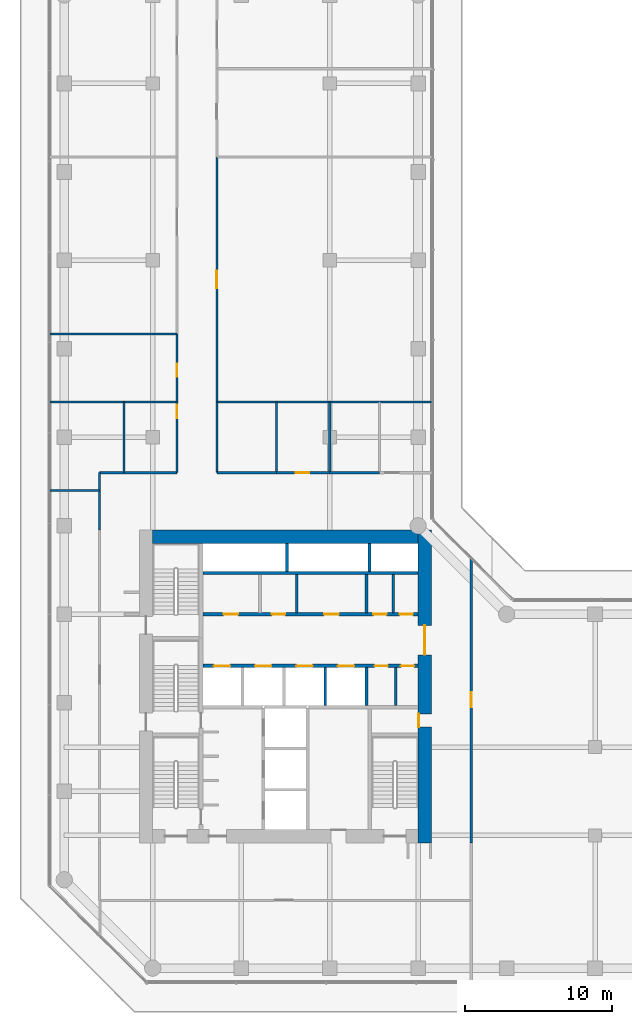
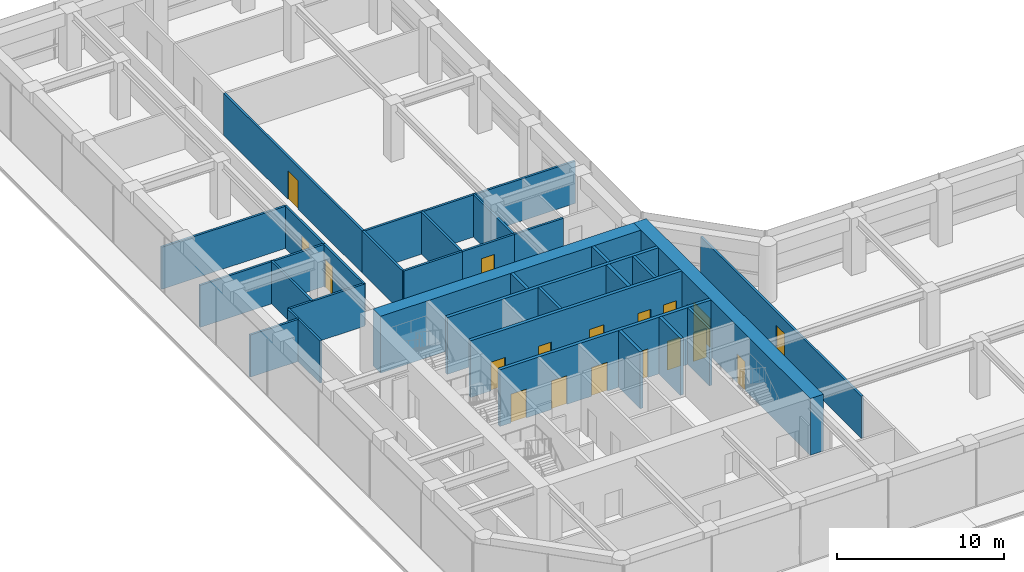
# One storey, part 22 of 24: 30 walls, 18 doors, 18 openings.
"""IFC4 building model written with IfcOpenShell, lengths in metres."""

from ifc_helpers import new_model, si_unit, direction, frame, frame_2d, origin, place, context, subcontext, project, spatial, rectangle, extrude, material, layer, layer_set, type_object, element, fill, save


model = new_model("IFC4")

# Units and contexts
model_context = context("Model", 3, precision=1e-05, world=origin(), true_north=direction((0.0, 1.0)))
body_context = subcontext(model_context, "Body", "Model", "MODEL_VIEW")
ifc_project = project(units=[si_unit("LENGTHUNIT", "METRE"), si_unit("AREAUNIT", "SQUARE_METRE"), si_unit("VOLUMEUNIT", "CUBIC_METRE"), si_unit("PLANEANGLEUNIT", "RADIAN"), si_unit("MASSUNIT", "GRAM", prefix="KILO")], contexts=[model_context])

# Site, building, storey
site_placement = place(None, origin())
site = spatial("IfcSite", under=ifc_project, at=site_placement, CompositionType="ELEMENT")
building_placement = place(site_placement, origin())
building = spatial("IfcBuilding", under=site, at=building_placement, Name="Welwitschia Terrace Campus", CompositionType="ELEMENT")
storey_placement = place(building_placement, frame((0.0, 0.0, 15.5)))
storey = spatial("IfcBuildingStorey", under=building, at=storey_placement, Name="L03", CompositionType="ELEMENT", Elevation=15.5)

# Walls
ifc_material_1 = material(Name="Concrete C32/40", Category="concrete")
ifc_layer_1 = layer(ifc_material_1, 0.175048828125)
ifc_layer_set_1 = layer_set([ifc_layer_1], Name="Concrete C32/40")
wall_type_1 = type_object("IfcWallType", Name="Core partition 175 Concrete C32/40", PredefinedType="PARTITIONING", material=ifc_layer_set_1)
for number, where, z_axis, x_axis, name in (
    (1, (15.77490234375, 20.10009765625, 0.0), (0.0, 0.0, 1.0), (0.0, 1.0, 0.0), "Core partition"),
    (2, (22.300048828125, 20.10009765625, 0.0), (0.0, 0.0, 1.0), (0.0, 1.0, 0.0), "Core partition"),
    (3, (22.469970703125, 13.800048828125, 0.0), (0.0, 0.0, 1.0), (0.0, 1.0, 0.0), "Core partition"),
):
    element("IfcWall", number, at=place(storey_placement, frame(where, z_axis=z_axis, x_axis=x_axis)), inside=storey, type_object=wall_type_1, Name=name, PredefinedType="PARTITIONING", context=body_context, shape_type="SweptSolid", body=[
        extrude(rectangle(XDim=2.599853515625, YDim=0.175048828125, at=frame_2d((1.2998046875, 0.0))), origin(), (0.0, 0.0, 1.0), 4.14990234375),
    ])

# Wall, openings, doors
ifc_material_2 = material(Name="Concrete C32/40", Category="concrete")
ifc_layer_2 = layer(ifc_material_2, 0.22509765625)
ifc_layer_set_2 = layer_set([ifc_layer_2], Name="Concrete C32/40")
wall_type_2 = type_object("IfcWallType", Name="Core partition 225 Concrete C32/40", PredefinedType="PARTITIONING", material=ifc_layer_set_2)
wall_1_placement = place(storey_placement, frame((9.39990234375, 16.5, 0.0), z_axis=(0.0, 0.0, 1.0), x_axis=(1.0, 0.0, 0.0)))
wall_1 = element("IfcWall", 4, at=wall_1_placement, inside=storey, type_object=wall_type_2, Name="Shaft wall", PredefinedType="PARTITIONING", context=body_context, shape_type="SweptSolid", body=[
    extrude(rectangle(XDim=14.60009765625, YDim=0.22509765625, at=frame_2d((7.300048828125, 0.0))), origin(), (0.0, 0.0, 1.0), 4.14990234375),
])
opening_1_placement = place(wall_1_placement, frame((0.75, 0.0, 0.0)))
opening_1 = element("IfcOpeningElement", 5, at=opening_1_placement, cuts=wall_1, Name="Opening LD", PredefinedType="OPENING", context=body_context, shape_type="SweptSolid", body=[
    extrude(rectangle(XDim=1.10009765625, YDim=2.10009765625, at=frame_2d((0.550048828125, 1.050048828125))), frame((0.0, 0.12255859375, 0.0), z_axis=(0.0, -1.0, 0.0), x_axis=(1.0, 0.0, 0.0)), (0.0, 0.0, 1.0), 0.2451171875),
])
opening_2_placement = place(wall_1_placement, frame((3.550048828125, 0.0, 0.0)))
opening_2 = element("IfcOpeningElement", 6, at=opening_2_placement, cuts=wall_1, Name="Opening LD", PredefinedType="OPENING", context=body_context, shape_type="SweptSolid", body=[
    extrude(rectangle(XDim=1.10009765625, YDim=2.10009765625, at=frame_2d((0.550048828125, 1.050048828125))), frame((0.0, 0.12255859375, 0.0), z_axis=(0.0, -1.0, 0.0), x_axis=(1.0, 0.0, 0.0)), (0.0, 0.0, 1.0), 0.2451171875),
])
opening_3_placement = place(wall_1_placement, frame((6.35009765625, 0.0, 0.0)))
opening_3 = element("IfcOpeningElement", 7, at=opening_3_placement, cuts=wall_1, Name="Opening LD", PredefinedType="OPENING", context=body_context, shape_type="SweptSolid", body=[
    extrude(rectangle(XDim=1.10009765625, YDim=2.10009765625, at=frame_2d((0.550048828125, 1.050048828125))), frame((0.0, 0.12255859375, 0.0), z_axis=(0.0, -1.0, 0.0), x_axis=(1.0, 0.0, 0.0)), (0.0, 0.0, 1.0), 0.2451171875),
])
opening_4_placement = place(wall_1_placement, frame((9.14990234375, 0.0, 0.0)))
opening_4 = element("IfcOpeningElement", 8, at=opening_4_placement, cuts=wall_1, Name="Opening LD", PredefinedType="OPENING", context=body_context, shape_type="SweptSolid", body=[
    extrude(rectangle(XDim=1.10009765625, YDim=2.10009765625, at=frame_2d((0.550048828125, 1.050048828125))), frame((0.0, 0.12255859375, 0.0), z_axis=(0.0, -1.0, 0.0), x_axis=(1.0, 0.0, 0.0)), (0.0, 0.0, 1.0), 0.2451171875),
])
opening_5_placement = place(wall_1_placement, frame((11.6474609375, 0.0, 0.0)))
opening_5 = element("IfcOpeningElement", 9, at=opening_5_placement, cuts=wall_1, Name="Opening DR09", PredefinedType="OPENING", context=body_context, shape_type="SweptSolid", body=[
    extrude(rectangle(XDim=0.89990234375, YDim=2.10009765625, at=frame_2d((0.449951171875, 1.050048828125))), frame((0.0, 0.12255859375, 0.0), z_axis=(0.0, -1.0, 0.0), x_axis=(1.0, 0.0, 0.0)), (0.0, 0.0, 1.0), 0.2451171875),
])
opening_6_placement = place(wall_1_placement, frame((13.422607421875, 0.0, 0.0)))
opening_6 = element("IfcOpeningElement", 10, at=opening_6_placement, cuts=wall_1, Name="Opening DR09", PredefinedType="OPENING", context=body_context, shape_type="SweptSolid", body=[
    extrude(rectangle(XDim=0.89990234375, YDim=2.10009765625, at=frame_2d((0.449951171875, 1.050048828125))), frame((0.0, 0.12255859375, 0.0), z_axis=(0.0, -1.0, 0.0), x_axis=(1.0, 0.0, 0.0)), (0.0, 0.0, 1.0), 0.2451171875),
])
ifc_material_3 = material(Name="Steel S275", Category="steel")
door_type_1 = type_object("IfcDoorType", Name="Core door DR09", OperationType="SINGLE_SWING_LEFT", PredefinedType="DOOR", material=ifc_material_3)
door_1_placement = place(opening_5_placement, origin())
door_1 = element("IfcDoor", 11, at=door_1_placement, inside=storey, type_object=door_type_1, Name="Door EL1-D", OperationType="SINGLE_SWING_RIGHT", OverallHeight=2.10009765625, OverallWidth=0.89990234375, PredefinedType="DOOR", context=body_context, shape_type="SweptSolid", body=[
    extrude(rectangle(XDim=0.89990234375, YDim=2.10009765625, at=frame_2d((0.449951171875, 1.050048828125))), frame((0.0, 0.02490234375, 0.0), z_axis=(0.0, -1.0, 0.0), x_axis=(1.0, 0.0, 0.0)), (0.0, 0.0, 1.0), 0.050048828125),
])
fill(opening_5, door_1)
door_2_placement = place(opening_6_placement, origin())
door_2 = element("IfcDoor", 12, at=door_2_placement, inside=storey, type_object=door_type_1, Name="Door EL2-D", OperationType="SINGLE_SWING_RIGHT", OverallHeight=2.10009765625, OverallWidth=0.89990234375, PredefinedType="DOOR", context=body_context, shape_type="SweptSolid", body=[
    extrude(rectangle(XDim=0.89990234375, YDim=2.10009765625, at=frame_2d((0.449951171875, 1.050048828125))), frame((0.0, 0.02490234375, 0.0), z_axis=(0.0, -1.0, 0.0), x_axis=(1.0, 0.0, 0.0)), (0.0, 0.0, 1.0), 0.050048828125),
])
fill(opening_6, door_2)
ifc_material_4 = material(Name="Stainless steel 304", Category="steel")
door_type_2 = type_object("IfcDoorType", Name="Lift landing door", OperationType="DOUBLE_DOOR_SLIDING", PredefinedType="DOOR", material=ifc_material_4)
door_3_placement = place(opening_1_placement, origin())
door_3 = element("IfcDoor", 13, at=door_3_placement, inside=storey, type_object=door_type_2, Name="Landing door LR1", OperationType="DOUBLE_DOOR_SLIDING", OverallHeight=2.10009765625, OverallWidth=1.10009765625, PredefinedType="DOOR", context=body_context, shape_type="SweptSolid", body=[
    extrude(rectangle(XDim=1.10009765625, YDim=2.10009765625, at=frame_2d((0.550048828125, 1.050048828125))), frame((0.0, 0.02490234375, 0.0), z_axis=(0.0, -1.0, 0.0), x_axis=(1.0, 0.0, 0.0)), (0.0, 0.0, 1.0), 0.050048828125),
])
fill(opening_1, door_3)
door_4_placement = place(opening_2_placement, origin())
door_4 = element("IfcDoor", 14, at=door_4_placement, inside=storey, type_object=door_type_2, Name="Landing door LR2", OperationType="DOUBLE_DOOR_SLIDING", OverallHeight=2.10009765625, OverallWidth=1.10009765625, PredefinedType="DOOR", context=body_context, shape_type="SweptSolid", body=[
    extrude(rectangle(XDim=1.10009765625, YDim=2.10009765625, at=frame_2d((0.550048828125, 1.050048828125))), frame((0.0, 0.02490234375, 0.0), z_axis=(0.0, -1.0, 0.0), x_axis=(1.0, 0.0, 0.0)), (0.0, 0.0, 1.0), 0.050048828125),
])
fill(opening_2, door_4)
door_5_placement = place(opening_3_placement, origin())
door_5 = element("IfcDoor", 15, at=door_5_placement, inside=storey, type_object=door_type_2, Name="Landing door LR3", OperationType="DOUBLE_DOOR_SLIDING", OverallHeight=2.10009765625, OverallWidth=1.10009765625, PredefinedType="DOOR", context=body_context, shape_type="SweptSolid", body=[
    extrude(rectangle(XDim=1.10009765625, YDim=2.10009765625, at=frame_2d((0.550048828125, 1.050048828125))), frame((0.0, 0.02490234375, 0.0), z_axis=(0.0, -1.0, 0.0), x_axis=(1.0, 0.0, 0.0)), (0.0, 0.0, 1.0), 0.050048828125),
])
fill(opening_3, door_5)
door_6_placement = place(opening_4_placement, origin())
door_6 = element("IfcDoor", 16, at=door_6_placement, inside=storey, type_object=door_type_2, Name="Landing door LR4", OperationType="DOUBLE_DOOR_SLIDING", OverallHeight=2.10009765625, OverallWidth=1.10009765625, PredefinedType="DOOR", context=body_context, shape_type="SweptSolid", body=[
    extrude(rectangle(XDim=1.10009765625, YDim=2.10009765625, at=frame_2d((0.550048828125, 1.050048828125))), frame((0.0, 0.02490234375, 0.0), z_axis=(0.0, -1.0, 0.0), x_axis=(1.0, 0.0, 0.0)), (0.0, 0.0, 1.0), 0.050048828125),
])
fill(opening_4, door_6)

wall_2_placement = place(storey_placement, frame((24.0, 20.0, 0.0), z_axis=(0.0, 0.0, 1.0), x_axis=(-1.0, 0.0, 0.0)))
wall_2 = element("IfcWall", 17, at=wall_2_placement, inside=storey, type_object=wall_type_2, Name="Core partition", PredefinedType="PARTITIONING", context=body_context, shape_type="SweptSolid", body=[
    extrude(rectangle(XDim=14.60009765625, YDim=0.22509765625, at=frame_2d((7.300048828125, 0.0))), origin(), (0.0, 0.0, 1.0), 4.14990234375),
])
opening_7_placement = place(wall_2_placement, frame((12.199951171875, 0.0, 0.0)))
opening_7 = element("IfcOpeningElement", 18, at=opening_7_placement, cuts=wall_2, Name="Opening DR10", PredefinedType="OPENING", context=body_context, shape_type="SweptSolid", body=[
    extrude(rectangle(XDim=1.0, YDim=2.10009765625, at=frame_2d((0.5, 1.050048828125))), frame((0.0, 0.12255859375, 0.0), z_axis=(0.0, -1.0, 0.0), x_axis=(1.0, 0.0, 0.0)), (0.0, 0.0, 1.0), 0.2451171875),
])
opening_8_placement = place(wall_2_placement, frame((9.02490234375, 0.0, 0.0)))
opening_8 = element("IfcOpeningElement", 19, at=opening_8_placement, cuts=wall_2, Name="Opening DR09", PredefinedType="OPENING", context=body_context, shape_type="SweptSolid", body=[
    extrude(rectangle(XDim=0.89990234375, YDim=2.10009765625, at=frame_2d((0.449951171875, 1.050048828125))), frame((0.0, 0.12255859375, 0.0), z_axis=(0.0, -1.0, 0.0), x_axis=(1.0, 0.0, 0.0)), (0.0, 0.0, 1.0), 0.2451171875),
])
opening_9_placement = place(wall_2_placement, frame((5.375, 0.0, 0.0)))
opening_9 = element("IfcOpeningElement", 20, at=opening_9_placement, cuts=wall_2, Name="Opening DR10", PredefinedType="OPENING", context=body_context, shape_type="SweptSolid", body=[
    extrude(rectangle(XDim=1.0, YDim=2.10009765625, at=frame_2d((0.5, 1.050048828125))), frame((0.0, 0.12255859375, 0.0), z_axis=(0.0, -1.0, 0.0), x_axis=(1.0, 0.0, 0.0)), (0.0, 0.0, 1.0), 0.2451171875),
])
opening_10_placement = place(wall_2_placement, frame((2.137451171875, 0.0, 0.0)))
opening_10 = element("IfcOpeningElement", 21, at=opening_10_placement, cuts=wall_2, Name="Opening DR09", PredefinedType="OPENING", context=body_context, shape_type="SweptSolid", body=[
    extrude(rectangle(XDim=0.89990234375, YDim=2.10009765625, at=frame_2d((0.449951171875, 1.050048828125))), frame((0.0, 0.12255859375, 0.0), z_axis=(0.0, -1.0, 0.0), x_axis=(1.0, 0.0, 0.0)), (0.0, 0.0, 1.0), 0.2451171875),
])
opening_11_placement = place(wall_2_placement, frame((0.362548828125, 0.0, 0.0)))
opening_11 = element("IfcOpeningElement", 22, at=opening_11_placement, cuts=wall_2, Name="Opening DR09", PredefinedType="OPENING", context=body_context, shape_type="SweptSolid", body=[
    extrude(rectangle(XDim=0.89990234375, YDim=2.10009765625, at=frame_2d((0.449951171875, 1.050048828125))), frame((0.0, 0.12255859375, 0.0), z_axis=(0.0, -1.0, 0.0), x_axis=(1.0, 0.0, 0.0)), (0.0, 0.0, 1.0), 0.2451171875),
])
door_7_placement = place(opening_8_placement, origin())
door_7 = element("IfcDoor", 23, at=door_7_placement, inside=storey, type_object=door_type_1, Name="Door BAYH2-D", OperationType="SINGLE_SWING_RIGHT", OverallHeight=2.10009765625, OverallWidth=0.89990234375, PredefinedType="DOOR", context=body_context, shape_type="SweptSolid", body=[
    extrude(rectangle(XDim=0.89990234375, YDim=2.10009765625, at=frame_2d((0.449951171875, 1.050048828125))), frame((0.0, 0.02490234375, 0.0), z_axis=(0.0, -1.0, 0.0), x_axis=(1.0, 0.0, 0.0)), (0.0, 0.0, 1.0), 0.050048828125),
])
fill(opening_8, door_7)
door_8_placement = place(opening_10_placement, origin())
door_8 = element("IfcDoor", 24, at=door_8_placement, inside=storey, type_object=door_type_1, Name="Door EH1-D", OperationType="SINGLE_SWING_LEFT", OverallHeight=2.10009765625, OverallWidth=0.89990234375, PredefinedType="DOOR", context=body_context, shape_type="SweptSolid", body=[
    extrude(rectangle(XDim=0.89990234375, YDim=2.10009765625, at=frame_2d((0.449951171875, 1.050048828125))), frame((0.0, 0.02490234375, 0.0), z_axis=(0.0, -1.0, 0.0), x_axis=(1.0, 0.0, 0.0)), (0.0, 0.0, 1.0), 0.050048828125),
])
fill(opening_10, door_8)
door_9_placement = place(opening_11_placement, origin())
door_9 = element("IfcDoor", 25, at=door_9_placement, inside=storey, type_object=door_type_1, Name="Door EH2-D", OperationType="SINGLE_SWING_LEFT", OverallHeight=2.10009765625, OverallWidth=0.89990234375, PredefinedType="DOOR", context=body_context, shape_type="SweptSolid", body=[
    extrude(rectangle(XDim=0.89990234375, YDim=2.10009765625, at=frame_2d((0.449951171875, 1.050048828125))), frame((0.0, 0.02490234375, 0.0), z_axis=(0.0, -1.0, 0.0), x_axis=(1.0, 0.0, 0.0)), (0.0, 0.0, 1.0), 0.050048828125),
])
fill(opening_11, door_9)
ifc_material_5 = material(Name="Steel S275", Category="steel")
door_type_3 = type_object("IfcDoorType", Name="Core door DR10", OperationType="SINGLE_SWING_LEFT", PredefinedType="DOOR", material=ifc_material_5)
door_10_placement = place(opening_7_placement, origin())
door_10 = element("IfcDoor", 26, at=door_10_placement, inside=storey, type_object=door_type_3, Name="Door BAYH1-D", OperationType="SINGLE_SWING_RIGHT", OverallHeight=2.10009765625, OverallWidth=1.0, PredefinedType="DOOR", context=body_context, shape_type="SweptSolid", body=[
    extrude(rectangle(XDim=1.0, YDim=2.10009765625, at=frame_2d((0.5, 1.050048828125))), frame((0.0, 0.02490234375, 0.0), z_axis=(0.0, -1.0, 0.0), x_axis=(1.0, 0.0, 0.0)), (0.0, 0.0, 1.0), 0.050048828125),
])
fill(opening_7, door_10)
door_11_placement = place(opening_9_placement, origin())
door_11 = element("IfcDoor", 27, at=door_11_placement, inside=storey, type_object=door_type_3, Name="Door BAYH3-D", OperationType="SINGLE_SWING_LEFT", OverallHeight=2.10009765625, OverallWidth=1.0, PredefinedType="DOOR", context=body_context, shape_type="SweptSolid", body=[
    extrude(rectangle(XDim=1.0, YDim=2.10009765625, at=frame_2d((0.5, 1.050048828125))), frame((0.0, 0.02490234375, 0.0), z_axis=(0.0, -1.0, 0.0), x_axis=(1.0, 0.0, 0.0)), (0.0, 0.0, 1.0), 0.050048828125),
])
fill(opening_9, door_11)

# Walls
wall_3_placement = place(storey_placement, frame((9.39990234375, 22.800048828125, 0.0), z_axis=(0.0, 0.0, 1.0), x_axis=(1.0, 0.0, 0.0)))
element("IfcWall", 28, at=wall_3_placement, inside=storey, type_object=wall_type_2, Name="Shaft wall", PredefinedType="PARTITIONING", context=body_context, shape_type="SweptSolid", body=[
    extrude(rectangle(XDim=14.60009765625, YDim=0.22509765625, at=frame_2d((7.300048828125, 0.0))), origin(), (0.0, 0.0, 1.0), 4.14990234375),
])
for number, where, z_axis, x_axis, name in (
    (29, (20.5, 13.800048828125, 0.0), (0.0, 0.0, 1.0), (0.0, 1.0, 0.0), "Shaft wall"),
    (30, (20.5, 20.10009765625, 0.0), (0.0, 0.0, 1.0), (0.0, 1.0, 0.0), "Core partition"),
):
    element("IfcWall", number, at=place(storey_placement, frame(where, z_axis=z_axis, x_axis=x_axis)), inside=storey, type_object=wall_type_2, Name=name, PredefinedType="PARTITIONING", context=body_context, shape_type="SweptSolid", body=[
        extrude(rectangle(XDim=2.599853515625, YDim=0.22509765625, at=frame_2d((1.2998046875, 0.0))), origin(), (0.0, 0.0, 1.0), 4.14990234375),
    ])
ifc_material_6 = material(Name="Concrete C50/60", Category="concrete")
ifc_layer_3 = layer(ifc_material_6, 0.199951171875)
ifc_layer_set_3 = layer_set([ifc_layer_3], Name="Concrete C50/60")
wall_type_3 = type_object("IfcWallType", Name="Core wall 200 Concrete C50/60", PredefinedType="SHEAR", material=ifc_layer_set_3)
for number, where, z_axis, x_axis, name in (
    (31, (15.10009765625, 22.89990234375, 0.0), (0.0, 0.0, 1.0), (0.0, 1.0, 0.0), "Core wall"),
    (32, (20.699951171875, 22.89990234375, 0.0), (0.0, 0.0, 1.0), (0.0, 1.0, 0.0), "Core wall"),
):
    element("IfcWall", number, at=place(storey_placement, frame(where, z_axis=z_axis, x_axis=x_axis)), inside=storey, type_object=wall_type_3, Name=name, PredefinedType="SHEAR", context=body_context, shape_type="SweptSolid", body=[
        extrude(rectangle(XDim=1.900146484375, YDim=0.199951171875, at=frame_2d((0.9501953125, 0.0))), origin(), (0.0, 0.0, 1.0), 4.14990234375),
    ])

# Wall, openings, doors
ifc_material_7 = material(Name="Concrete C70/85", Category="concrete")
ifc_layer_4 = layer(ifc_material_7, 0.89990234375)
ifc_layer_set_4 = layer_set([ifc_layer_4], Name="Concrete C70/85")
wall_type_4 = type_object("IfcWallType", Name="Core wall 900 Concrete C70/85", PredefinedType="SHEAR", material=ifc_layer_set_4)
wall_4_placement = place(storey_placement, frame((24.449951171875, 25.699951171875, 0.0), z_axis=(0.0, 0.0, 1.0), x_axis=(0.0, -1.0, 0.0)))
wall_4 = element("IfcWall", 33, at=wall_4_placement, inside=storey, type_object=wall_type_4, Name="Core outer wall", PredefinedType="SHEAR", context=body_context, shape_type="SweptSolid", body=[
    extrude(rectangle(XDim=21.199951171875, YDim=0.89990234375, at=frame_2d((10.60009765625, 0.0))), origin(), (0.0, 0.0, 1.0), 4.14990234375),
])
opening_12_placement = place(wall_4_placement, frame((12.449951171875, 0.0, 0.0)))
opening_12 = element("IfcOpeningElement", 34, at=opening_12_placement, cuts=wall_4, Name="Opening DR09", PredefinedType="OPENING", context=body_context, shape_type="SweptSolid", body=[
    extrude(rectangle(XDim=0.89990234375, YDim=2.10009765625, at=frame_2d((0.449951171875, 1.050048828125))), frame((0.0, 0.4599609375, 0.0), z_axis=(0.0, -1.0, 0.0), x_axis=(1.0, 0.0, 0.0)), (0.0, 0.0, 1.0), 0.919921875),
])
opening_13_placement = place(wall_4_placement, frame((6.449951171875, 0.0, 0.0)))
opening_13 = element("IfcOpeningElement", 35, at=opening_13_placement, cuts=wall_4, Name="Opening DL20", PredefinedType="OPENING", context=body_context, shape_type="SweptSolid", body=[
    extrude(rectangle(XDim=2.0, YDim=2.10009765625, at=frame_2d((1.0, 1.050048828125))), frame((0.0, 0.4599609375, 0.0), z_axis=(0.0, -1.0, 0.0), x_axis=(1.0, 0.0, 0.0)), (0.0, 0.0, 1.0), 0.919921875),
])
ifc_material_8 = material(Name="Steel S275", Category="steel")
door_type_4 = type_object("IfcDoorType", Name="Core door DL20", OperationType="DOUBLE_DOOR_SINGLE_SWING", PredefinedType="DOOR", material=ifc_material_8)
door_12_placement = place(opening_13_placement, origin())
door_12 = element("IfcDoor", 36, at=door_12_placement, inside=storey, type_object=door_type_4, Name="Door LOBBY-out", OperationType="DOUBLE_DOOR_SINGLE_SWING", OverallHeight=2.10009765625, OverallWidth=2.0, PredefinedType="DOOR", context=body_context, shape_type="SweptSolid", body=[
    extrude(rectangle(XDim=2.0, YDim=2.10009765625, at=frame_2d((1.0, 1.050048828125))), frame((0.0, 0.02490234375, 0.0), z_axis=(0.0, -1.0, 0.0), x_axis=(1.0, 0.0, 0.0)), (0.0, 0.0, 1.0), 0.050048828125),
])
fill(opening_13, door_12)
door_13_placement = place(opening_12_placement, origin())
door_13 = element("IfcDoor", 37, at=door_13_placement, inside=storey, type_object=door_type_1, Name="Door F1B-out", OperationType="SINGLE_SWING_RIGHT", OverallHeight=2.10009765625, OverallWidth=0.89990234375, PredefinedType="DOOR", context=body_context, shape_type="SweptSolid", body=[
    extrude(rectangle(XDim=0.89990234375, YDim=2.10009765625, at=frame_2d((0.449951171875, 1.050048828125))), frame((0.0, -0.39013671875, 0.0), z_axis=(0.0, -1.0, 0.0), x_axis=(1.0, 0.0, 0.0)), (0.0, 0.0, 1.0), 0.050048828125),
])
fill(opening_12, door_13)

# Walls
wall_5_placement = place(storey_placement, frame((6.0, 25.25, 0.0), z_axis=(0.0, 0.0, 1.0), x_axis=(1.0, 0.0, 0.0)))
element("IfcWall", 38, at=wall_5_placement, inside=storey, type_object=wall_type_4, Name="Core outer wall", PredefinedType="SHEAR", context=body_context, shape_type="SweptSolid", body=[
    extrude(rectangle(XDim=18.0, YDim=0.89990234375, at=frame_2d((9.0, 0.0))), origin(), (0.0, 0.0, 1.0), 4.14990234375),
])
ifc_material_9 = material(Name="Gypsum board on steel studs", Category="steel")
ifc_layer_5 = layer(ifc_material_9, 0.14990234375)
ifc_layer_set_5 = layer_set([ifc_layer_5], Name="Gypsum board on steel studs")
wall_type_5 = type_object("IfcWallType", Name="Corridor partition 150 EI 30", PredefinedType="PARTITIONING", material=ifc_layer_set_5)
wall_6_placement = place(storey_placement, frame((-0.969970703125, 28.39990234375, 0.0), z_axis=(0.0, 0.0, 1.0), x_axis=(1.0, 0.0, 0.0)))
element("IfcWall", 39, at=wall_6_placement, inside=storey, type_object=wall_type_5, Name="Partition", PredefinedType="PARTITIONING", context=body_context, shape_type="SweptSolid", body=[
    extrude(rectangle(XDim=3.369873046875, YDim=0.14990234375, at=frame_2d((1.68505859375, 0.0))), origin(), (0.0, 0.0, 1.0), 3.080078125),
])
for number, where, z_axis, x_axis, name in (
    (40, (-0.969970703125, 34.39990234375, 0.0), (0.0, 0.0, 1.0), (1.0, 0.0, 0.0), "Partition"),
    (41, (-0.969970703125, 39.0, 0.0), (0.0, 0.0, 1.0), (1.0, 0.0, 0.0), "Partition"),
):
    element("IfcWall", number, at=place(storey_placement, frame(where, z_axis=z_axis, x_axis=x_axis)), inside=storey, type_object=wall_type_5, Name=name, PredefinedType="PARTITIONING", context=body_context, shape_type="SweptSolid", body=[
        extrude(rectangle(XDim=8.619873046875, YDim=0.14990234375, at=frame_2d((4.31005859375, 0.0))), origin(), (0.0, 0.0, 1.0), 3.080078125),
    ])
wall_7_placement = place(storey_placement, frame((2.39990234375, 25.699951171875, 0.0), z_axis=(0.0, 0.0, 1.0), x_axis=(0.0, 1.0, 0.0)))
element("IfcWall", 42, at=wall_7_placement, inside=storey, type_object=wall_type_5, Name="Partition", PredefinedType="PARTITIONING", context=body_context, shape_type="SweptSolid", body=[
    extrude(rectangle(XDim=3.900146484375, YDim=0.14990234375, at=frame_2d((1.9501953125, 0.0))), origin(), (0.0, 0.0, 1.0), 3.080078125),
])
wall_8_placement = place(storey_placement, frame((2.39990234375, 29.60009765625, 0.0), z_axis=(0.0, 0.0, 1.0), x_axis=(1.0, 0.0, 0.0)))
element("IfcWall", 43, at=wall_8_placement, inside=storey, type_object=wall_type_5, Name="Partition", PredefinedType="PARTITIONING", context=body_context, shape_type="SweptSolid", body=[
    extrude(rectangle(XDim=5.25, YDim=0.14990234375, at=frame_2d((2.625, 0.0))), origin(), (0.0, 0.0, 1.0), 3.080078125),
])
wall_9_placement = place(storey_placement, frame((4.050048828125, 29.60009765625, 0.0), z_axis=(0.0, 0.0, 1.0), x_axis=(0.0, 1.0, 0.0)))
element("IfcWall", 44, at=wall_9_placement, inside=storey, type_object=wall_type_5, Name="Partition", PredefinedType="PARTITIONING", context=body_context, shape_type="SweptSolid", body=[
    extrude(rectangle(XDim=4.7998046875, YDim=0.14990234375, at=frame_2d((2.39990234375, 0.0))), origin(), (0.0, 0.0, 1.0), 3.080078125),
])

# Wall, opening, door
wall_10_placement = place(storey_placement, frame((7.64990234375, 29.60009765625, 0.0), z_axis=(0.0, 0.0, 1.0), x_axis=(0.0, 1.0, 0.0)))
wall_10 = element("IfcWall", 45, at=wall_10_placement, inside=storey, type_object=wall_type_5, Name="Partition", PredefinedType="PARTITIONING", context=body_context, shape_type="SweptSolid", body=[
    extrude(rectangle(XDim=4.7998046875, YDim=0.14990234375, at=frame_2d((2.39990234375, 0.0))), origin(), (0.0, 0.0, 1.0), 3.080078125),
])
opening_14_placement = place(wall_10_placement, frame((3.699951171875, 0.0, 0.0)))
opening_14 = element("IfcOpeningElement", 46, at=opening_14_placement, cuts=wall_10, Name="Opening DI09", PredefinedType="OPENING", context=body_context, shape_type="SweptSolid", body=[
    extrude(rectangle(XDim=0.89990234375, YDim=2.10009765625, at=frame_2d((0.449951171875, 1.050048828125))), frame((0.0, 0.0849609375, 0.0), z_axis=(0.0, -1.0, 0.0), x_axis=(1.0, 0.0, 0.0)), (0.0, 0.0, 1.0), 0.169921875),
])
ifc_material_10 = material(Name="Timber veneered door", Category="wood")
door_type_5 = type_object("IfcDoorType", Name="Interior door DI09", OperationType="NOTDEFINED", PredefinedType="DOOR", material=ifc_material_10)
door_14_placement = place(opening_14_placement, origin())
door_14 = element("IfcDoor", 47, at=door_14_placement, inside=storey, type_object=door_type_5, Name="Door L03 110", OperationType="SINGLE_SWING_LEFT", OverallHeight=2.10009765625, OverallWidth=0.89990234375, PredefinedType="DOOR", context=body_context, shape_type="SweptSolid", body=[
    extrude(rectangle(XDim=0.89990234375, YDim=2.10009765625, at=frame_2d((0.449951171875, 1.050048828125))), frame((0.0, 0.02490234375, 0.0), z_axis=(0.0, -1.0, 0.0), x_axis=(1.0, 0.0, 0.0)), (0.0, 0.0, 1.0), 0.050048828125),
])
fill(opening_14, door_14)

wall_11_placement = place(storey_placement, frame((7.64990234375, 34.39990234375, 0.0), z_axis=(0.0, 0.0, 1.0), x_axis=(0.0, 1.0, 0.0)))
wall_11 = element("IfcWall", 48, at=wall_11_placement, inside=storey, type_object=wall_type_5, Name="Partition", PredefinedType="PARTITIONING", context=body_context, shape_type="SweptSolid", body=[
    extrude(rectangle(XDim=4.60009765625, YDim=0.14990234375, at=frame_2d((2.300048828125, 0.0))), origin(), (0.0, 0.0, 1.0), 3.080078125),
])
opening_15_placement = place(wall_11_placement, frame((1.699951171875, 0.0, 0.0)))
opening_15 = element("IfcOpeningElement", 49, at=opening_15_placement, cuts=wall_11, Name="Opening DI09", PredefinedType="OPENING", context=body_context, shape_type="SweptSolid", body=[
    extrude(rectangle(XDim=0.89990234375, YDim=2.10009765625, at=frame_2d((0.449951171875, 1.050048828125))), frame((0.0, 0.0849609375, 0.0), z_axis=(0.0, -1.0, 0.0), x_axis=(1.0, 0.0, 0.0)), (0.0, 0.0, 1.0), 0.169921875),
])
door_15_placement = place(opening_15_placement, origin())
door_15 = element("IfcDoor", 50, at=door_15_placement, inside=storey, type_object=door_type_5, Name="Door L03 111", OperationType="SINGLE_SWING_RIGHT", OverallHeight=2.10009765625, OverallWidth=0.89990234375, PredefinedType="DOOR", context=body_context, shape_type="SweptSolid", body=[
    extrude(rectangle(XDim=0.89990234375, YDim=2.10009765625, at=frame_2d((0.449951171875, 1.050048828125))), frame((0.0, 0.02490234375, 0.0), z_axis=(0.0, -1.0, 0.0), x_axis=(1.0, 0.0, 0.0)), (0.0, 0.0, 1.0), 0.050048828125),
])
fill(opening_15, door_15)

# Walls
wall_12_placement = place(storey_placement, frame((10.35009765625, 29.60009765625, 0.0), z_axis=(0.0, 0.0, 1.0), x_axis=(0.0, 1.0, 0.0)))
element("IfcWall", 51, at=wall_12_placement, inside=storey, type_object=wall_type_5, Name="Partition", PredefinedType="PARTITIONING", context=body_context, shape_type="SweptSolid", body=[
    extrude(rectangle(XDim=4.7998046875, YDim=0.14990234375, at=frame_2d((2.39990234375, 0.0))), origin(), (0.0, 0.0, 1.0), 3.080078125),
])
wall_13_placement = place(storey_placement, frame((10.35009765625, 29.60009765625, 0.0), z_axis=(0.0, 0.0, 1.0), x_axis=(1.0, 0.0, 0.0)))
element("IfcWall", 52, at=wall_13_placement, inside=storey, type_object=wall_type_5, Name="Partition", PredefinedType="PARTITIONING", context=body_context, shape_type="SweptSolid", body=[
    extrude(rectangle(XDim=4.0498046875, YDim=0.14990234375, at=frame_2d((2.02490234375, 0.0))), origin(), (0.0, 0.0, 1.0), 3.080078125),
])
wall_14_placement = place(storey_placement, frame((10.35009765625, 34.39990234375, 0.0), z_axis=(0.0, 0.0, 1.0), x_axis=(1.0, 0.0, 0.0)))
element("IfcWall", 53, at=wall_14_placement, inside=storey, type_object=wall_type_5, Name="Partition", PredefinedType="PARTITIONING", context=body_context, shape_type="SweptSolid", body=[
    extrude(rectangle(XDim=14.619873046875, YDim=0.14990234375, at=frame_2d((7.31005859375, 0.0))), origin(), (0.0, 0.0, 1.0), 3.080078125),
])

# Wall, opening, door
wall_15_placement = place(storey_placement, frame((10.35009765625, 51.0, 0.0), z_axis=(0.0, 0.0, 1.0), x_axis=(0.0, -1.0, 0.0)))
wall_15 = element("IfcWall", 54, at=wall_15_placement, inside=storey, type_object=wall_type_5, Name="Partition", PredefinedType="PARTITIONING", context=body_context, shape_type="SweptSolid", body=[
    extrude(rectangle(XDim=16.60009765625, YDim=0.14990234375, at=frame_2d((8.300048828125, 0.0))), origin(), (0.0, 0.0, 1.0), 3.080078125),
])
opening_16_placement = place(wall_15_placement, frame((7.699951171875, 0.0, 0.0)))
opening_16 = element("IfcOpeningElement", 55, at=opening_16_placement, cuts=wall_15, Name="Opening DI12", PredefinedType="OPENING", context=body_context, shape_type="SweptSolid", body=[
    extrude(rectangle(XDim=1.199951171875, YDim=2.10009765625, at=frame_2d((0.60009765625, 1.050048828125))), frame((0.0, 0.0849609375, 0.0), z_axis=(0.0, -1.0, 0.0), x_axis=(1.0, 0.0, 0.0)), (0.0, 0.0, 1.0), 0.169921875),
])
ifc_material_11 = material(Name="Timber veneered door", Category="wood")
door_type_6 = type_object("IfcDoorType", Name="Interior door DI12", OperationType="NOTDEFINED", PredefinedType="DOOR", material=ifc_material_11)
door_16_placement = place(opening_16_placement, origin())
door_16 = element("IfcDoor", 56, at=door_16_placement, inside=storey, type_object=door_type_6, Name="Door L03 114", OperationType="SINGLE_SWING_LEFT", OverallHeight=2.10009765625, OverallWidth=1.199951171875, PredefinedType="DOOR", context=body_context, shape_type="SweptSolid", body=[
    extrude(rectangle(XDim=1.199951171875, YDim=2.10009765625, at=frame_2d((0.60009765625, 1.050048828125))), frame((0.0, 0.02490234375, 0.0), z_axis=(0.0, -1.0, 0.0), x_axis=(1.0, 0.0, 0.0)), (0.0, 0.0, 1.0), 0.050048828125),
])
fill(opening_16, door_16)

# Wall
wall_16_placement = place(storey_placement, frame((14.39990234375, 29.60009765625, 0.0), z_axis=(0.0, 0.0, 1.0), x_axis=(0.0, 1.0, 0.0)))
element("IfcWall", 57, at=wall_16_placement, inside=storey, type_object=wall_type_5, Name="Partition", PredefinedType="PARTITIONING", context=body_context, shape_type="SweptSolid", body=[
    extrude(rectangle(XDim=4.7998046875, YDim=0.14990234375, at=frame_2d((2.39990234375, 0.0))), origin(), (0.0, 0.0, 1.0), 3.080078125),
])

# Wall, opening, door
wall_17_placement = place(storey_placement, frame((14.39990234375, 29.60009765625, 0.0), z_axis=(0.0, 0.0, 1.0), x_axis=(1.0, 0.0, 0.0)))
wall_17 = element("IfcWall", 58, at=wall_17_placement, inside=storey, type_object=wall_type_5, Name="Partition", PredefinedType="PARTITIONING", context=body_context, shape_type="SweptSolid", body=[
    extrude(rectangle(XDim=3.60009765625, YDim=0.14990234375, at=frame_2d((1.800048828125, 0.0))), origin(), (0.0, 0.0, 1.0), 3.080078125),
])
opening_17_placement = place(wall_17_placement, frame((1.300048828125, 0.0, 0.0)))
opening_17 = element("IfcOpeningElement", 59, at=opening_17_placement, cuts=wall_17, Name="Opening DI09", PredefinedType="OPENING", context=body_context, shape_type="SweptSolid", body=[
    extrude(rectangle(XDim=0.89990234375, YDim=2.10009765625, at=frame_2d((0.449951171875, 1.050048828125))), frame((0.0, 0.0849609375, 0.0), z_axis=(0.0, -1.0, 0.0), x_axis=(1.0, 0.0, 0.0)), (0.0, 0.0, 1.0), 0.169921875),
])
door_17_placement = place(opening_17_placement, origin())
door_17 = element("IfcDoor", 60, at=door_17_placement, inside=storey, type_object=door_type_5, Name="Door L03 117", OperationType="SINGLE_SWING_RIGHT", OverallHeight=2.10009765625, OverallWidth=0.89990234375, PredefinedType="DOOR", context=body_context, shape_type="SweptSolid", body=[
    extrude(rectangle(XDim=0.89990234375, YDim=2.10009765625, at=frame_2d((0.449951171875, 1.050048828125))), frame((0.0, 0.02490234375, 0.0), z_axis=(0.0, -1.0, 0.0), x_axis=(1.0, 0.0, 0.0)), (0.0, 0.0, 1.0), 0.050048828125),
])
fill(opening_17, door_17)

# Walls
wall_18_placement = place(storey_placement, frame((18.0, 29.60009765625, 0.0), z_axis=(0.0, 0.0, 1.0), x_axis=(0.0, 1.0, 0.0)))
element("IfcWall", 61, at=wall_18_placement, inside=storey, type_object=wall_type_5, Name="Partition", PredefinedType="PARTITIONING", context=body_context, shape_type="SweptSolid", body=[
    extrude(rectangle(XDim=4.7998046875, YDim=0.14990234375, at=frame_2d((2.39990234375, 0.0))), origin(), (0.0, 0.0, 1.0), 3.080078125),
])
wall_19_placement = place(storey_placement, frame((18.0, 29.60009765625, 0.0), z_axis=(0.0, 0.0, 1.0), x_axis=(1.0, 0.0, 0.0)))
element("IfcWall", 62, at=wall_19_placement, inside=storey, type_object=wall_type_5, Name="Partition", PredefinedType="PARTITIONING", context=body_context, shape_type="SweptSolid", body=[
    extrude(rectangle(XDim=3.3701171875, YDim=0.14990234375, at=frame_2d((1.68505859375, 0.0))), origin(), (0.0, 0.0, 1.0), 3.080078125),
])

# Wall, opening, door
wall_20_placement = place(storey_placement, frame((27.60009765625, 23.77001953125, 0.0), z_axis=(0.0, 0.0, 1.0), x_axis=(0.0, -1.0, 0.0)))
wall_20 = element("IfcWall", 63, at=wall_20_placement, inside=storey, type_object=wall_type_5, Name="Partition", PredefinedType="PARTITIONING", context=body_context, shape_type="SweptSolid", body=[
    extrude(rectangle(XDim=19.27001953125, YDim=0.14990234375, at=frame_2d((9.635009765625, 0.0))), origin(), (0.0, 0.0, 1.0), 3.080078125),
])
opening_18_placement = place(wall_20_placement, frame((9.070068359375, 0.0, 0.0)))
opening_18 = element("IfcOpeningElement", 64, at=opening_18_placement, cuts=wall_20, Name="Opening DI10", PredefinedType="OPENING", context=body_context, shape_type="SweptSolid", body=[
    extrude(rectangle(XDim=1.0, YDim=2.10009765625, at=frame_2d((0.5, 1.050048828125))), frame((0.0, 0.0849609375, 0.0), z_axis=(0.0, -1.0, 0.0), x_axis=(1.0, 0.0, 0.0)), (0.0, 0.0, 1.0), 0.169921875),
])
ifc_material_12 = material(Name="Timber veneered door", Category="wood")
door_type_7 = type_object("IfcDoorType", Name="Interior door DI10", OperationType="NOTDEFINED", PredefinedType="DOOR", material=ifc_material_12)
door_18_placement = place(opening_18_placement, origin())
door_18 = element("IfcDoor", 65, at=door_18_placement, inside=storey, type_object=door_type_7, Name="Door L03 120", OperationType="SINGLE_SWING_LEFT", OverallHeight=2.10009765625, OverallWidth=1.0, PredefinedType="DOOR", context=body_context, shape_type="SweptSolid", body=[
    extrude(rectangle(XDim=1.0, YDim=2.10009765625, at=frame_2d((0.5, 1.050048828125))), frame((0.0, 0.02490234375, 0.0), z_axis=(0.0, -1.0, 0.0), x_axis=(1.0, 0.0, 0.0)), (0.0, 0.0, 1.0), 0.050048828125),
])
fill(opening_18, door_18)

# Wall
ifc_material_13 = material(Name="Concrete C32/40", Category="concrete")
ifc_layer_6 = layer(ifc_material_13, 0.199951171875)
ifc_layer_set_6 = layer_set([ifc_layer_6], Name="Concrete C32/40")
wall_type_6 = type_object("IfcWallType", Name="Shaft wall 200 Concrete C32/40", PredefinedType="SOLIDWALL", material=ifc_layer_set_6)
wall_21_placement = place(storey_placement, frame((17.699951171875, 13.800048828125, 0.0), z_axis=(0.0, 0.0, 1.0), x_axis=(0.0, 1.0, 0.0)))
element("IfcWall", 66, at=wall_21_placement, inside=storey, type_object=wall_type_6, Name="Shaft wall", PredefinedType="SOLIDWALL", context=body_context, shape_type="SweptSolid", body=[
    extrude(rectangle(XDim=2.599853515625, YDim=0.199951171875, at=frame_2d((1.2998046875, 0.0))), origin(), (0.0, 0.0, 1.0), 4.14990234375),
])

save(model, "model.ifc")
